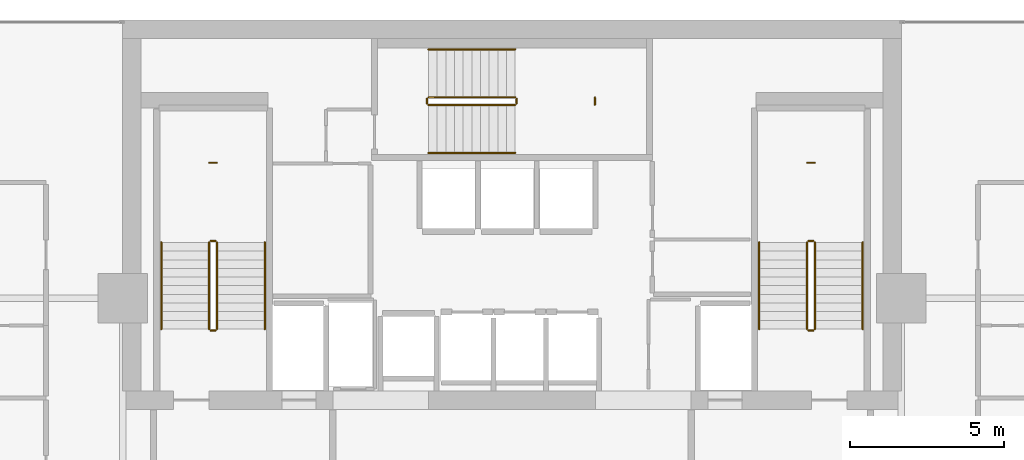
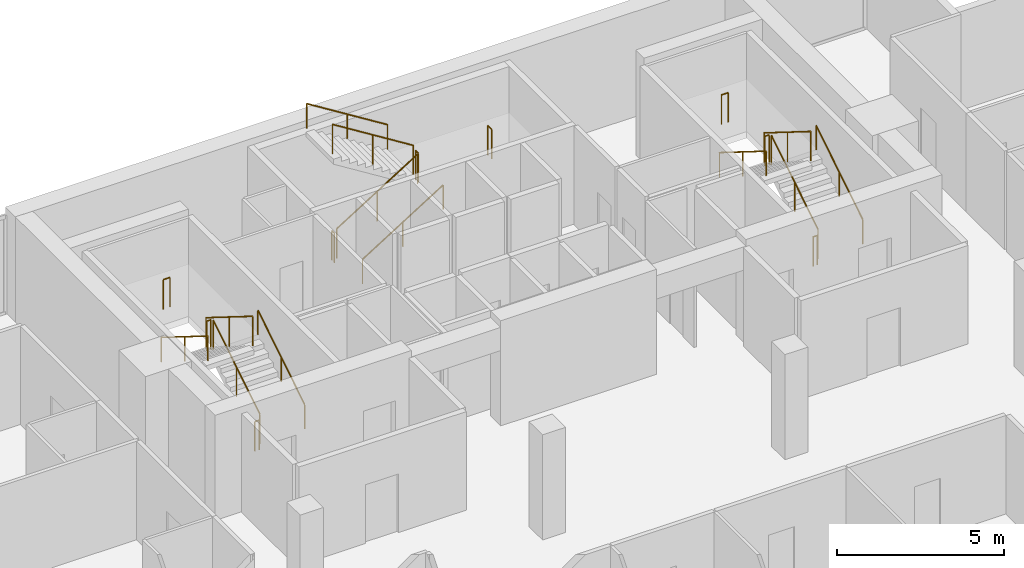
# One storey, part 25 of 25: 21 railings.
"""IFC4 building model written with IfcOpenShell, lengths in metres."""

from ifc_helpers import new_model, si_unit, direction, frame, origin, origin_2d, place, context, subcontext, project, spatial, circle, extrude, material, type_object, element, save


model = new_model("IFC4")

# Units and contexts
model_context = context("Model", 3, precision=1e-05, world=origin(), true_north=direction((0.0, 1.0)))
body_context = subcontext(model_context, "Body", "Model", "MODEL_VIEW")
ifc_project = project(units=[si_unit("LENGTHUNIT", "METRE"), si_unit("AREAUNIT", "SQUARE_METRE"), si_unit("VOLUMEUNIT", "CUBIC_METRE"), si_unit("PLANEANGLEUNIT", "RADIAN"), si_unit("MASSUNIT", "GRAM", prefix="KILO")], contexts=[model_context])

# Site, building, storey
site_placement = place(None, origin())
site = spatial("IfcSite", under=ifc_project, at=site_placement, CompositionType="ELEMENT")
building_placement = place(site_placement, origin())
building = spatial("IfcBuilding", under=site, at=building_placement, Name="Maruvema Waterfront Hotel and Observation Tower", CompositionType="ELEMENT")
storey_placement = place(building_placement, frame((0.0, 0.0, 262.5)))
storey = spatial("IfcBuildingStorey", under=building, at=storey_placement, Name="L64", CompositionType="ELEMENT", Elevation=262.5)

# Railings
ifc_material_1 = material(Name="Brushed stainless steel Grade 316", Category="steel")
railing_type_1 = type_object("IfcRailingType", Name="Ramp Continuous Wall Handrail 920 mm", PredefinedType="HANDRAIL", material=ifc_material_1)
railing_1_placement = place(storey_placement, frame((29.800048828125, 44.0, 0.175048828125)))
element("IfcRailing", 1, at=railing_1_placement, inside=storey, type_object=railing_type_1, Name="L64 ST-01 stair handrail 1", PredefinedType="HANDRAIL", context=body_context, shape_type="SweptSolid", body=[
    extrude(circle(Radius=0.02392578125, at=origin_2d()), frame((0.0, 0.0, 0.89599609375), z_axis=(0.0, 0.848002457836, 0.529992293815), x_axis=(-1.0, 0.0, 0.0)), (0.0, 0.0, 1.0), 3.302001953125),
    extrude(circle(Radius=0.02099609375, at=origin_2d()), origin(), (0.0, 0.0, 1.0), 0.871826171875),
    extrude(circle(Radius=0.02099609375, at=origin_2d()), frame((0.0, 1.39990234375, 0.875)), (0.0, 0.0, 1.0), 0.871826171875),
    extrude(circle(Radius=0.02099609375, at=origin_2d()), frame((0.0, 2.800048828125, 1.75)), (0.0, 0.0, 1.0), 0.871826171875),
])
railing_2_placement = place(storey_placement, frame((26.449951171875, 46.800048828125, 2.10009765625)))
element("IfcRailing", 2, at=railing_2_placement, inside=storey, type_object=railing_type_1, Name="L64 ST-01 stair handrail 2", PredefinedType="HANDRAIL", context=body_context, shape_type="SweptSolid", body=[
    extrude(circle(Radius=0.02392578125, at=origin_2d()), frame((0.0, 0.0, 0.89599609375), z_axis=(0.0, -0.848002457836, 0.529992293815), x_axis=(1.0, 0.0, 0.0)), (0.0, 0.0, 1.0), 3.302001953125),
    extrude(circle(Radius=0.02099609375, at=origin_2d()), origin(), (0.0, 0.0, 1.0), 0.871826171875),
    extrude(circle(Radius=0.02099609375, at=origin_2d()), frame((0.0, -1.39990234375, 0.875)), (0.0, 0.0, 1.0), 0.871826171875),
    extrude(circle(Radius=0.02099609375, at=origin_2d()), frame((0.0, -2.800048828125, 1.75)), (0.0, 0.0, 1.0), 0.871826171875),
])
railing_3_placement = place(storey_placement, frame((35.10009765625, 49.699951171875, 0.175048828125)))
element("IfcRailing", 3, at=railing_3_placement, inside=storey, type_object=railing_type_1, Name="L64 ST-02 stair handrail 1", PredefinedType="HANDRAIL", context=body_context, shape_type="SweptSolid", body=[
    extrude(circle(Radius=0.02392578125, at=origin_2d()), frame((0.0, 0.0, 0.89599609375), z_axis=(0.847981687118, 0.0, 0.530025526095), x_axis=(0.0, 1.0, 0.0)), (0.0, 0.0, 1.0), 3.3017578125),
    extrude(circle(Radius=0.02099609375, at=origin_2d()), origin(), (0.0, 0.0, 1.0), 0.871826171875),
    extrude(circle(Radius=0.02099609375, at=origin_2d()), frame((1.39990234375, 0.0, 0.875)), (0.0, 0.0, 1.0), 0.871826171875),
    extrude(circle(Radius=0.02099609375, at=origin_2d()), frame((2.7998046875, 0.0, 1.75)), (0.0, 0.0, 1.0), 0.871826171875),
])
railing_4_placement = place(storey_placement, frame((37.89990234375, 53.050048828125, 2.10009765625)))
element("IfcRailing", 4, at=railing_4_placement, inside=storey, type_object=railing_type_1, Name="L64 ST-02 stair handrail 2", PredefinedType="HANDRAIL", context=body_context, shape_type="SweptSolid", body=[
    extrude(circle(Radius=0.02392578125, at=origin_2d()), frame((0.0, 0.0, 0.89599609375), z_axis=(-0.847981687118, 0.0, 0.530025526095), x_axis=(0.0, -1.0, 0.0)), (0.0, 0.0, 1.0), 3.3017578125),
    extrude(circle(Radius=0.02099609375, at=origin_2d()), origin(), (0.0, 0.0, 1.0), 0.871826171875),
    extrude(circle(Radius=0.02099609375, at=origin_2d()), frame((-1.39990234375, 0.0, 0.875)), (0.0, 0.0, 1.0), 0.871826171875),
    extrude(circle(Radius=0.02099609375, at=origin_2d()), frame((-2.7998046875, 0.0, 1.75)), (0.0, 0.0, 1.0), 0.871826171875),
])
railing_5_placement = place(storey_placement, frame((49.14990234375, 44.0, 0.175048828125)))
element("IfcRailing", 5, at=railing_5_placement, inside=storey, type_object=railing_type_1, Name="L64 ST-03 stair handrail 1", PredefinedType="HANDRAIL", context=body_context, shape_type="SweptSolid", body=[
    extrude(circle(Radius=0.02392578125, at=origin_2d()), frame((0.0, 0.0, 0.89599609375), z_axis=(0.0, 0.848002457836, 0.529992293815), x_axis=(-1.0, 0.0, 0.0)), (0.0, 0.0, 1.0), 3.302001953125),
    extrude(circle(Radius=0.02099609375, at=origin_2d()), origin(), (0.0, 0.0, 1.0), 0.871826171875),
    extrude(circle(Radius=0.02099609375, at=origin_2d()), frame((0.0, 1.39990234375, 0.875)), (0.0, 0.0, 1.0), 0.871826171875),
    extrude(circle(Radius=0.02099609375, at=origin_2d()), frame((0.0, 2.800048828125, 1.75)), (0.0, 0.0, 1.0), 0.871826171875),
])
railing_6_placement = place(storey_placement, frame((45.800048828125, 46.800048828125, 2.10009765625)))
element("IfcRailing", 6, at=railing_6_placement, inside=storey, type_object=railing_type_1, Name="L64 ST-03 stair handrail 2", PredefinedType="HANDRAIL", context=body_context, shape_type="SweptSolid", body=[
    extrude(circle(Radius=0.02392578125, at=origin_2d()), frame((0.0, 0.0, 0.89599609375), z_axis=(0.0, -0.848002457836, 0.529992293815), x_axis=(1.0, 0.0, 0.0)), (0.0, 0.0, 1.0), 3.302001953125),
    extrude(circle(Radius=0.02099609375, at=origin_2d()), origin(), (0.0, 0.0, 1.0), 0.871826171875),
    extrude(circle(Radius=0.02099609375, at=origin_2d()), frame((0.0, -1.39990234375, 0.875)), (0.0, 0.0, 1.0), 0.871826171875),
    extrude(circle(Radius=0.02099609375, at=origin_2d()), frame((0.0, -2.800048828125, 1.75)), (0.0, 0.0, 1.0), 0.871826171875),
])
ifc_material_2 = material(Name="Brushed stainless steel Grade 316", Category="steel")
railing_type_2 = type_object("IfcRailingType", Name="Ramp and Terrace Guard Balustrade 1100 mm", PredefinedType="BALUSTRADE", material=ifc_material_2)
railing_7_placement = place(storey_placement, frame((28.25, 44.0, 0.175048828125)))
element("IfcRailing", 7, at=railing_7_placement, inside=storey, type_object=railing_type_2, Name="L64 ST-01 stair guard 1", PredefinedType="BALUSTRADE", context=body_context, shape_type="SweptSolid", body=[
    extrude(circle(Radius=0.02392578125, at=origin_2d()), frame((0.0, 0.0, 1.076171875), z_axis=(0.0, 0.848002457836, 0.529992293815), x_axis=(-1.0, 0.0, 0.0)), (0.0, 0.0, 1.0), 3.302001953125),
    extrude(circle(Radius=0.02099609375, at=origin_2d()), origin(), (0.0, 0.0, 1.0), 1.052001953125),
    extrude(circle(Radius=0.02099609375, at=origin_2d()), frame((0.0, 1.39990234375, 0.875)), (0.0, 0.0, 1.0), 1.052001953125),
    extrude(circle(Radius=0.02099609375, at=origin_2d()), frame((0.0, 2.800048828125, 1.75)), (0.0, 0.0, 1.0), 1.052001953125),
])
railing_8_placement = place(storey_placement, frame((28.199951171875, 46.85009765625, 1.925048828125)))
element("IfcRailing", 8, at=railing_8_placement, inside=storey, type_object=railing_type_2, Name="L64 ST-01 stair guard 2", PredefinedType="BALUSTRADE", context=body_context, shape_type="SweptSolid", body=[
    extrude(circle(Radius=0.02392578125, at=origin_2d()), frame((0.0, 0.0, 1.076171875), z_axis=(-1.0, 0.0, 0.0), x_axis=(0.0, -1.0, 0.0)), (0.0, 0.0, 1.0), 0.14990234375),
    extrude(circle(Radius=0.02099609375, at=origin_2d()), origin(), (0.0, 0.0, 1.0), 1.052001953125),
    extrude(circle(Radius=0.02099609375, at=origin_2d()), frame((-0.14990234375, 0.0, 0.0)), (0.0, 0.0, 1.0), 1.052001953125),
])
railing_9_placement = place(storey_placement, frame((28.0, 46.800048828125, 2.10009765625)))
element("IfcRailing", 9, at=railing_9_placement, inside=storey, type_object=railing_type_2, Name="L64 ST-01 stair guard 3", PredefinedType="BALUSTRADE", context=body_context, shape_type="SweptSolid", body=[
    extrude(circle(Radius=0.02392578125, at=origin_2d()), frame((0.0, 0.0, 1.076171875), z_axis=(0.0, -0.848002457836, 0.529992293815), x_axis=(1.0, 0.0, 0.0)), (0.0, 0.0, 1.0), 3.302001953125),
    extrude(circle(Radius=0.02099609375, at=origin_2d()), origin(), (0.0, 0.0, 1.0), 1.052001953125),
    extrude(circle(Radius=0.02099609375, at=origin_2d()), frame((0.0, -1.39990234375, 0.875)), (0.0, 0.0, 1.0), 1.052001953125),
    extrude(circle(Radius=0.02099609375, at=origin_2d()), frame((0.0, -2.800048828125, 1.75)), (0.0, 0.0, 1.0), 1.052001953125),
])
railing_10_placement = place(storey_placement, frame((28.199951171875, 43.949951171875, 0.0)))
element("IfcRailing", 10, at=railing_10_placement, inside=storey, type_object=railing_type_2, Name="L64 ST-01 stair guard 4", PredefinedType="BALUSTRADE", context=body_context, shape_type="SweptSolid", body=[
    extrude(circle(Radius=0.02392578125, at=origin_2d()), frame((0.0, 0.0, 1.076171875), z_axis=(-1.0, 0.0, 0.0), x_axis=(0.0, -1.0, 0.0)), (0.0, 0.0, 1.0), 0.14990234375),
    extrude(circle(Radius=0.02099609375, at=origin_2d()), origin(), (0.0, 0.0, 1.0), 1.052001953125),
    extrude(circle(Radius=0.02099609375, at=origin_2d()), frame((-0.14990234375, 0.0, 0.0)), (0.0, 0.0, 1.0), 1.052001953125),
])
railing_11_placement = place(storey_placement, frame((28.239990234375, 49.3798828125, 1.925048828125)))
element("IfcRailing", 11, at=railing_11_placement, inside=storey, type_object=railing_type_2, Name="L64 ST-01 Half-Landing Slot Guard", PredefinedType="BALUSTRADE", context=body_context, shape_type="SweptSolid", body=[
    extrude(circle(Radius=0.02392578125, at=origin_2d()), frame((0.0, 0.0, 1.076171875), z_axis=(-1.0, 0.0, 0.0), x_axis=(0.0, -1.0, 0.0)), (0.0, 0.0, 1.0), 0.22998046875),
    extrude(circle(Radius=0.02099609375, at=origin_2d()), origin(), (0.0, 0.0, 1.0), 1.052001953125),
    extrude(circle(Radius=0.02099609375, at=origin_2d()), frame((-0.22998046875, 0.0, 0.0)), (0.0, 0.0, 1.0), 1.052001953125),
])
railing_12_placement = place(storey_placement, frame((35.10009765625, 51.25, 0.175048828125)))
element("IfcRailing", 12, at=railing_12_placement, inside=storey, type_object=railing_type_2, Name="L64 ST-02 stair guard 1", PredefinedType="BALUSTRADE", context=body_context, shape_type="SweptSolid", body=[
    extrude(circle(Radius=0.02392578125, at=origin_2d()), frame((0.0, 0.0, 1.076171875), z_axis=(0.847981687118, 0.0, 0.530025526095), x_axis=(0.0, 1.0, 0.0)), (0.0, 0.0, 1.0), 3.3017578125),
    extrude(circle(Radius=0.02099609375, at=origin_2d()), origin(), (0.0, 0.0, 1.0), 1.052001953125),
    extrude(circle(Radius=0.02099609375, at=origin_2d()), frame((1.39990234375, 0.0, 0.875)), (0.0, 0.0, 1.0), 1.052001953125),
    extrude(circle(Radius=0.02099609375, at=origin_2d()), frame((2.7998046875, 0.0, 1.75)), (0.0, 0.0, 1.0), 1.052001953125),
])
railing_13_placement = place(storey_placement, frame((37.949951171875, 51.300048828125, 1.925048828125)))
element("IfcRailing", 13, at=railing_13_placement, inside=storey, type_object=railing_type_2, Name="L64 ST-02 stair guard 2", PredefinedType="BALUSTRADE", context=body_context, shape_type="SweptSolid", body=[
    extrude(circle(Radius=0.02392578125, at=origin_2d()), frame((0.0, 0.0, 1.076171875), z_axis=(0.0, 1.0, 0.0), x_axis=(-1.0, 0.0, 0.0)), (0.0, 0.0, 1.0), 0.14990234375),
    extrude(circle(Radius=0.02099609375, at=origin_2d()), origin(), (0.0, 0.0, 1.0), 1.052001953125),
    extrude(circle(Radius=0.02099609375, at=origin_2d()), frame((0.0, 0.14990234375, 0.0)), (0.0, 0.0, 1.0), 1.052001953125),
])
railing_14_placement = place(storey_placement, frame((37.89990234375, 51.5, 2.10009765625)))
element("IfcRailing", 14, at=railing_14_placement, inside=storey, type_object=railing_type_2, Name="L64 ST-02 stair guard 3", PredefinedType="BALUSTRADE", context=body_context, shape_type="SweptSolid", body=[
    extrude(circle(Radius=0.02392578125, at=origin_2d()), frame((0.0, 0.0, 1.076171875), z_axis=(-0.847981687118, 0.0, 0.530025526095), x_axis=(0.0, -1.0, 0.0)), (0.0, 0.0, 1.0), 3.3017578125),
    extrude(circle(Radius=0.02099609375, at=origin_2d()), origin(), (0.0, 0.0, 1.0), 1.052001953125),
    extrude(circle(Radius=0.02099609375, at=origin_2d()), frame((-1.39990234375, 0.0, 0.875)), (0.0, 0.0, 1.0), 1.052001953125),
    extrude(circle(Radius=0.02099609375, at=origin_2d()), frame((-2.7998046875, 0.0, 1.75)), (0.0, 0.0, 1.0), 1.052001953125),
])
railing_15_placement = place(storey_placement, frame((35.050048828125, 51.300048828125, 0.0)))
element("IfcRailing", 15, at=railing_15_placement, inside=storey, type_object=railing_type_2, Name="L64 ST-02 stair guard 4", PredefinedType="BALUSTRADE", context=body_context, shape_type="SweptSolid", body=[
    extrude(circle(Radius=0.02392578125, at=origin_2d()), frame((0.0, 0.0, 1.076171875), z_axis=(0.0, 1.0, 0.0), x_axis=(-1.0, 0.0, 0.0)), (0.0, 0.0, 1.0), 0.14990234375),
    extrude(circle(Radius=0.02099609375, at=origin_2d()), origin(), (0.0, 0.0, 1.0), 1.052001953125),
    extrude(circle(Radius=0.02099609375, at=origin_2d()), frame((0.0, 0.14990234375, 0.0)), (0.0, 0.0, 1.0), 1.052001953125),
])
railing_16_placement = place(storey_placement, frame((40.47998046875, 51.260009765625, 1.925048828125)))
element("IfcRailing", 16, at=railing_16_placement, inside=storey, type_object=railing_type_2, Name="L64 ST-02 Half-Landing Slot Guard", PredefinedType="BALUSTRADE", context=body_context, shape_type="SweptSolid", body=[
    extrude(circle(Radius=0.02392578125, at=origin_2d()), frame((0.0, 0.0, 1.076171875), z_axis=(0.0, 1.0, 0.0), x_axis=(-1.0, 0.0, 0.0)), (0.0, 0.0, 1.0), 0.22998046875),
    extrude(circle(Radius=0.02099609375, at=origin_2d()), origin(), (0.0, 0.0, 1.0), 1.052001953125),
    extrude(circle(Radius=0.02099609375, at=origin_2d()), frame((0.0, 0.22998046875, 0.0)), (0.0, 0.0, 1.0), 1.052001953125),
])
railing_17_placement = place(storey_placement, frame((47.60009765625, 44.0, 0.175048828125)))
element("IfcRailing", 17, at=railing_17_placement, inside=storey, type_object=railing_type_2, Name="L64 ST-03 stair guard 1", PredefinedType="BALUSTRADE", context=body_context, shape_type="SweptSolid", body=[
    extrude(circle(Radius=0.02392578125, at=origin_2d()), frame((0.0, 0.0, 1.076171875), z_axis=(0.0, 0.848002457836, 0.529992293815), x_axis=(-1.0, 0.0, 0.0)), (0.0, 0.0, 1.0), 3.302001953125),
    extrude(circle(Radius=0.02099609375, at=origin_2d()), origin(), (0.0, 0.0, 1.0), 1.052001953125),
    extrude(circle(Radius=0.02099609375, at=origin_2d()), frame((0.0, 1.39990234375, 0.875)), (0.0, 0.0, 1.0), 1.052001953125),
    extrude(circle(Radius=0.02099609375, at=origin_2d()), frame((0.0, 2.800048828125, 1.75)), (0.0, 0.0, 1.0), 1.052001953125),
])
railing_18_placement = place(storey_placement, frame((47.550048828125, 46.85009765625, 1.925048828125)))
element("IfcRailing", 18, at=railing_18_placement, inside=storey, type_object=railing_type_2, Name="L64 ST-03 stair guard 2", PredefinedType="BALUSTRADE", context=body_context, shape_type="SweptSolid", body=[
    extrude(circle(Radius=0.02392578125, at=origin_2d()), frame((0.0, 0.0, 1.076171875), z_axis=(-1.0, 0.0, 0.0), x_axis=(0.0, -1.0, 0.0)), (0.0, 0.0, 1.0), 0.150146484375),
    extrude(circle(Radius=0.02099609375, at=origin_2d()), origin(), (0.0, 0.0, 1.0), 1.052001953125),
    extrude(circle(Radius=0.02099609375, at=origin_2d()), frame((-0.150146484375, 0.0, 0.0)), (0.0, 0.0, 1.0), 1.052001953125),
])
railing_19_placement = place(storey_placement, frame((47.35009765625, 46.800048828125, 2.10009765625)))
element("IfcRailing", 19, at=railing_19_placement, inside=storey, type_object=railing_type_2, Name="L64 ST-03 stair guard 3", PredefinedType="BALUSTRADE", context=body_context, shape_type="SweptSolid", body=[
    extrude(circle(Radius=0.02392578125, at=origin_2d()), frame((0.0, 0.0, 1.076171875), z_axis=(0.0, -0.848002457836, 0.529992293815), x_axis=(1.0, 0.0, 0.0)), (0.0, 0.0, 1.0), 3.302001953125),
    extrude(circle(Radius=0.02099609375, at=origin_2d()), origin(), (0.0, 0.0, 1.0), 1.052001953125),
    extrude(circle(Radius=0.02099609375, at=origin_2d()), frame((0.0, -1.39990234375, 0.875)), (0.0, 0.0, 1.0), 1.052001953125),
    extrude(circle(Radius=0.02099609375, at=origin_2d()), frame((0.0, -2.800048828125, 1.75)), (0.0, 0.0, 1.0), 1.052001953125),
])
railing_20_placement = place(storey_placement, frame((47.550048828125, 43.949951171875, 0.0)))
element("IfcRailing", 20, at=railing_20_placement, inside=storey, type_object=railing_type_2, Name="L64 ST-03 stair guard 4", PredefinedType="BALUSTRADE", context=body_context, shape_type="SweptSolid", body=[
    extrude(circle(Radius=0.02392578125, at=origin_2d()), frame((0.0, 0.0, 1.076171875), z_axis=(-1.0, 0.0, 0.0), x_axis=(0.0, -1.0, 0.0)), (0.0, 0.0, 1.0), 0.150146484375),
    extrude(circle(Radius=0.02099609375, at=origin_2d()), origin(), (0.0, 0.0, 1.0), 1.052001953125),
    extrude(circle(Radius=0.02099609375, at=origin_2d()), frame((-0.150146484375, 0.0, 0.0)), (0.0, 0.0, 1.0), 1.052001953125),
])
railing_21_placement = place(storey_placement, frame((47.590087890625, 49.3798828125, 1.925048828125)))
element("IfcRailing", 21, at=railing_21_placement, inside=storey, type_object=railing_type_2, Name="L64 ST-03 Half-Landing Slot Guard", PredefinedType="BALUSTRADE", context=body_context, shape_type="SweptSolid", body=[
    extrude(circle(Radius=0.02392578125, at=origin_2d()), frame((0.0, 0.0, 1.076171875), z_axis=(-1.0, 0.0, 0.0), x_axis=(0.0, -1.0, 0.0)), (0.0, 0.0, 1.0), 0.22998046875),
    extrude(circle(Radius=0.02099609375, at=origin_2d()), origin(), (0.0, 0.0, 1.0), 1.052001953125),
    extrude(circle(Radius=0.02099609375, at=origin_2d()), frame((-0.22998046875, 0.0, 0.0)), (0.0, 0.0, 1.0), 1.052001953125),
])

save(model, "model.ifc")
